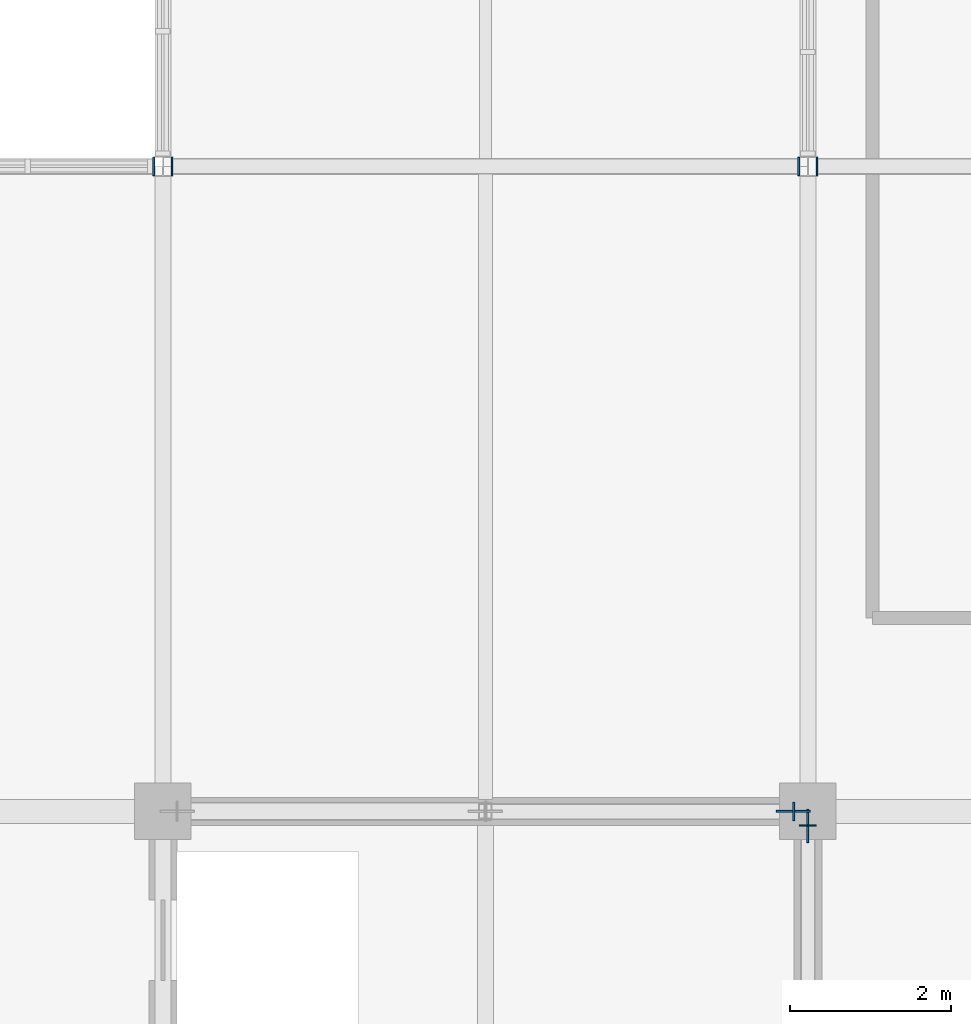
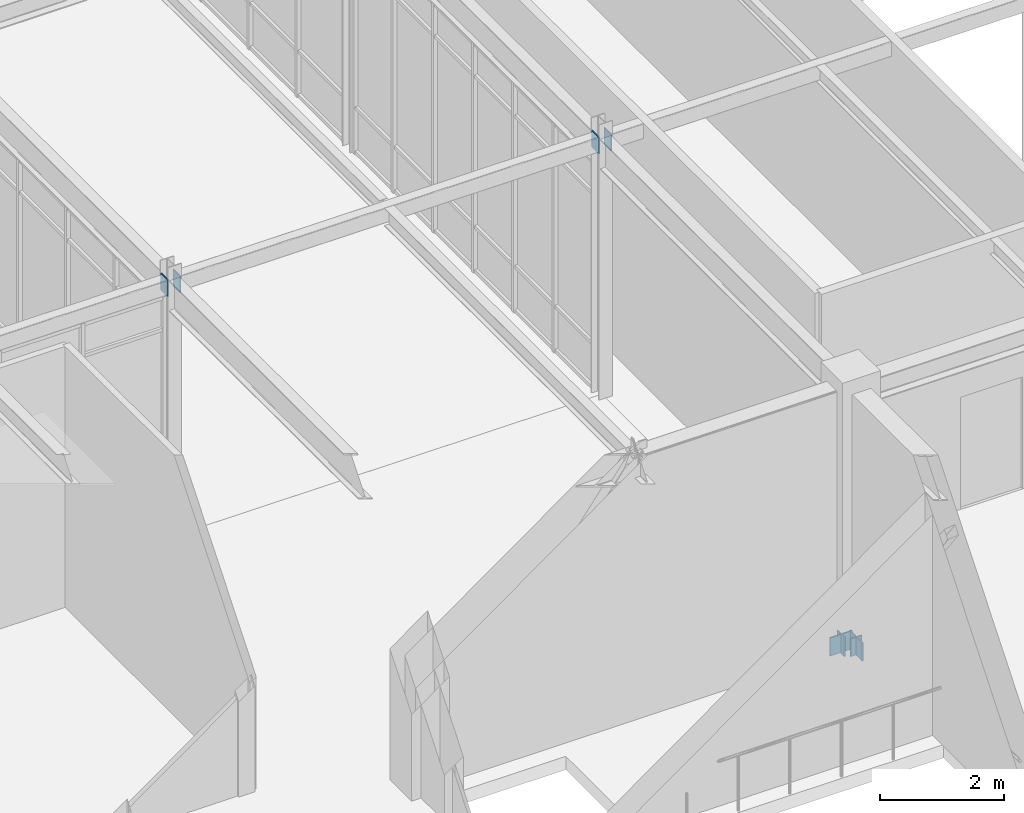
# One storey, part 126 of 184: 8 plates.
"""IFC4 building model written with IfcOpenShell, lengths in metres."""

from ifc_helpers import new_model, si_unit, direction, frame, origin, origin_2d, place, context, subcontext, project, spatial, rectangle, extrude, material, layer, layer_set, type_object, element, save


model = new_model("IFC4")

# Units and contexts
model_context = context("Model", 3, precision=1e-05, world=origin(), true_north=direction((0.0, 1.0)))
body_context = subcontext(model_context, "Body", "Model", "MODEL_VIEW")
ifc_project = project(units=[si_unit("LENGTHUNIT", "METRE"), si_unit("AREAUNIT", "SQUARE_METRE"), si_unit("VOLUMEUNIT", "CUBIC_METRE"), si_unit("PLANEANGLEUNIT", "RADIAN"), si_unit("MASSUNIT", "GRAM", prefix="KILO")], contexts=[model_context])

# Site, building, storey
site_placement = place(None, origin())
site = spatial("IfcSite", under=ifc_project, at=site_placement, CompositionType="ELEMENT")
building_placement = place(site_placement, origin())
building = spatial("IfcBuilding", under=site, at=building_placement, Name="Zhaolan Boulevard Law Courts", CompositionType="ELEMENT")
storey_placement = place(building_placement, frame((0.0, 0.0, 5.39990234375)))
storey = spatial("IfcBuildingStorey", under=building, at=storey_placement, Name="L01", CompositionType="ELEMENT", Elevation=5.39990234375)

# Plates
ifc_material_1 = material(Name="Structural steel Q355B", Category="steel")
ifc_layer_1 = layer(ifc_material_1, 0.02392578125)
ifc_layer_set_1 = layer_set([ifc_layer_1])
plate_type_1 = type_object("IfcPlateType", Name="BRACE GUSSET PLATE 24", PredefinedType="SHEET", material=ifc_layer_set_1)
for number, where, z_axis, x_axis, name in (
    (1, (123.820068359375, 22.0, -0.14990234375), (0.0, 0.0, 1.0), (1.0, 0.0, 0.0), "Brace Gusset Connection Plate GP-P2-L01-NA2"),
    (2, (124.0, 21.820068359375, -0.14990234375), (0.0, 0.0, 1.0), (0.0, 1.0, 0.0), "Brace Gusset Connection Plate GP-P2-L01-EA2"),
):
    element("IfcPlate", number, at=place(storey_placement, frame(where, z_axis=z_axis, x_axis=x_axis)), inside=storey, type_object=plate_type_1, Name=name, PredefinedType="SHEET", context=body_context, shape_type="SweptSolid", body=[
        extrude(rectangle(XDim=0.419921875, YDim=0.02392578125, at=origin_2d()), origin(), (0.0, 0.0, 1.0), 0.360107421875),
    ])
ifc_material_2 = material(Name="Structural steel Q355B", Category="steel")
ifc_layer_2 = layer(ifc_material_2, 0.02001953125)
ifc_layer_set_2 = layer_set([ifc_layer_2])
plate_type_2 = type_object("IfcPlateType", Name="END CAP PLATE 20", PredefinedType="SHEET", material=ifc_layer_set_2)
for number, where, z_axis, x_axis, name in (
    (3, (115.886962890625, 30.0, 4.822998046875), (0.0, 0.0, 1.0), (1.0, 0.0, 0.0), "Hollow Section End-Cap Plate ECP-0750"),
    (4, (116.113037109375, 30.0, 4.822998046875), (0.0, 0.0, 1.0), (1.0, 0.0, 0.0), "Hollow Section End-Cap Plate ECP-0751"),
    (5, (123.886962890625, 30.0, 4.822998046875), (0.0, 0.0, 1.0), (1.0, 0.0, 0.0), "Hollow Section End-Cap Plate ECP-0752"),
    (6, (124.113037109375, 30.0, 4.802978515625), (0.0, 0.0, 1.0), (1.0, 0.0, 0.0), "Hollow Section End-Cap Plate ECP-0753"),
):
    element("IfcPlate", number, at=place(storey_placement, frame(where, z_axis=z_axis, x_axis=x_axis)), inside=storey, type_object=plate_type_2, Name=name, PredefinedType="SHEET", context=body_context, shape_type="SweptSolid", body=[
        extrude(rectangle(XDim=0.02001953125, YDim=0.22998046875, at=origin_2d()), origin(), (0.0, 0.0, 1.0), 0.330078125),
    ])
plate_1_placement = place(storey_placement, frame((123.82470703125, 22.0, -0.16796875), z_axis=(0.0, 0.0, 1.0), x_axis=(-1.0, 0.0, 0.0)))
element("IfcPlate", 7, at=plate_1_placement, inside=storey, type_object=plate_type_2, Name="Hollow Section End-Cap Plate ECP-1265", PredefinedType="SHEET", context=body_context, shape_type="SweptSolid", body=[
    extrude(rectangle(XDim=0.02001953125, YDim=0.22998046875, at=origin_2d()), origin(), (0.0, 0.0, 1.0), 0.383056640625),
])
plate_2_placement = place(storey_placement, frame((124.0, 21.82470703125, -0.1513671875), z_axis=(0.0, 0.0, 1.0), x_axis=(0.0, -1.0, 0.0)))
element("IfcPlate", 8, at=plate_2_placement, inside=storey, type_object=plate_type_2, Name="Hollow Section End-Cap Plate ECP-1269", PredefinedType="SHEET", context=body_context, shape_type="SweptSolid", body=[
    extrude(rectangle(XDim=0.02001953125, YDim=0.2099609375, at=origin_2d()), origin(), (0.0, 0.0, 1.0), 0.35009765625),
])

save(model, "model.ifc")
